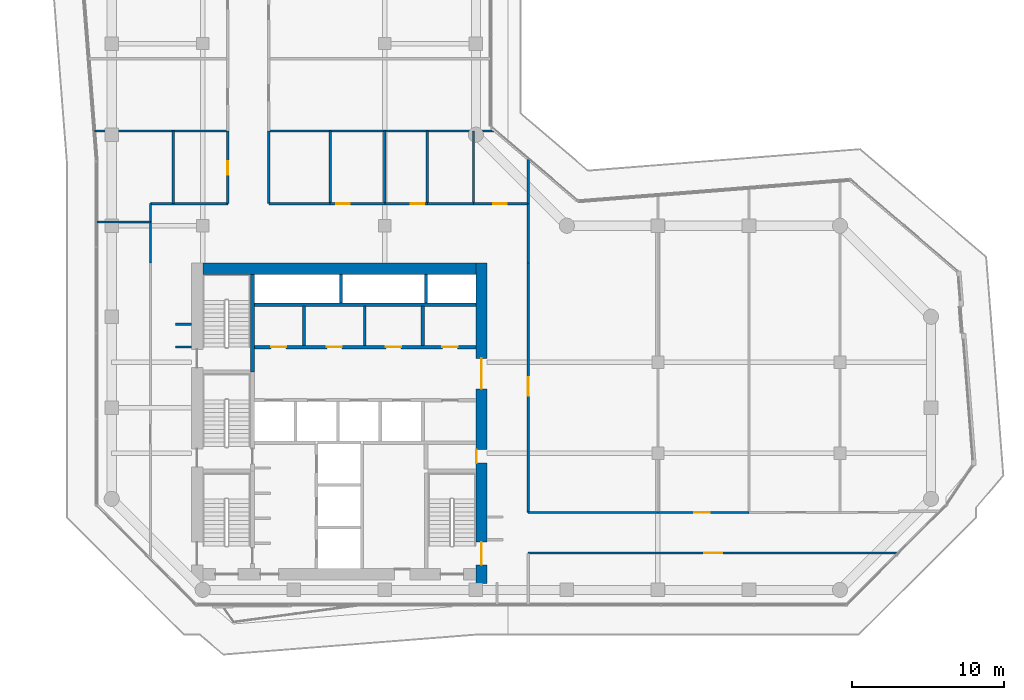
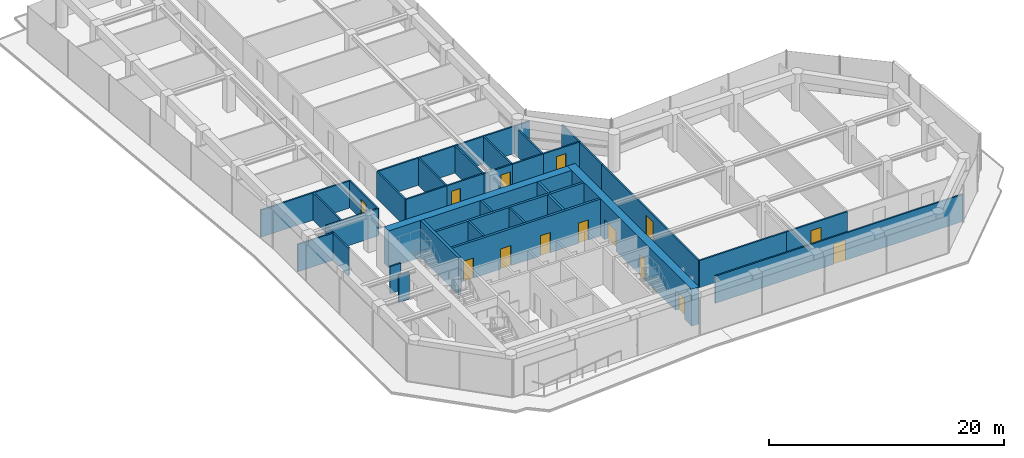
# One storey, part 21 of 25: 35 walls, 14 doors, 14 openings.
"""IFC4 building model written with IfcOpenShell, lengths in metres."""

from ifc_helpers import new_model, si_unit, direction, frame, frame_2d, origin, place, context, subcontext, project, spatial, rectangle, extrude, material, layer, layer_set, type_object, element, fill, save


model = new_model("IFC4")

# Units and contexts
model_context = context("Model", 3, precision=1e-05, world=origin(), true_north=direction((0.0, 1.0)))
body_context = subcontext(model_context, "Body", "Model", "MODEL_VIEW")
ifc_project = project(units=[si_unit("LENGTHUNIT", "METRE"), si_unit("AREAUNIT", "SQUARE_METRE"), si_unit("VOLUMEUNIT", "CUBIC_METRE"), si_unit("PLANEANGLEUNIT", "RADIAN"), si_unit("MASSUNIT", "GRAM", prefix="KILO")], contexts=[model_context])

# Site, building, storey
site_placement = place(None, origin())
site = spatial("IfcSite", under=ifc_project, at=site_placement, CompositionType="ELEMENT")
building_placement = place(site_placement, origin())
building = spatial("IfcBuilding", under=site, at=building_placement, Name="Welwitschia Terrace Campus", CompositionType="ELEMENT")
storey_placement = place(building_placement, frame((0.0, 0.0, 92.0)))
storey = spatial("IfcBuildingStorey", under=building, at=storey_placement, Name="L20", CompositionType="ELEMENT", Elevation=92.0)

# Walls
ifc_material_1 = material(Name="Concrete C32/40", Category="concrete")
ifc_layer_1 = layer(ifc_material_1, 0.175048828125)
ifc_layer_set_1 = layer_set([ifc_layer_1], Name="Concrete C32/40")
wall_type_1 = type_object("IfcWallType", Name="Core partition 175 Concrete C32/40", PredefinedType="PARTITIONING", material=ifc_layer_set_1)
for number, where, z_axis, x_axis, name in (
    (1, (12.675048828125, 20.10009765625, 0.0), (0.0, 0.0, 1.0), (0.0, 1.0, 0.0), "Core partition"),
    (2, (16.675048828125, 20.10009765625, 0.0), (0.0, 0.0, 1.0), (0.0, 1.0, 0.0), "Core partition"),
):
    element("IfcWall", number, at=place(storey_placement, frame(where, z_axis=z_axis, x_axis=x_axis)), inside=storey, type_object=wall_type_1, Name=name, PredefinedType="PARTITIONING", context=body_context, shape_type="SweptSolid", body=[
        extrude(rectangle(XDim=2.599853515625, YDim=0.175048828125, at=frame_2d((1.2998046875, 0.0))), origin(), (0.0, 0.0, 1.0), 3.85009765625),
    ])

# Wall, openings, doors
ifc_material_2 = material(Name="Concrete C32/40", Category="concrete")
ifc_layer_2 = layer(ifc_material_2, 0.22509765625)
ifc_layer_set_2 = layer_set([ifc_layer_2], Name="Concrete C32/40")
wall_type_2 = type_object("IfcWallType", Name="Core partition 225 Concrete C32/40", PredefinedType="PARTITIONING", material=ifc_layer_set_2)
wall_1_placement = place(storey_placement, frame((24.0, 20.0, 0.0), z_axis=(0.0, 0.0, 1.0), x_axis=(-1.0, 0.0, 0.0)))
wall_1 = element("IfcWall", 3, at=wall_1_placement, inside=storey, type_object=wall_type_2, Name="Core partition", PredefinedType="PARTITIONING", context=body_context, shape_type="SweptSolid", body=[
    extrude(rectangle(XDim=14.60009765625, YDim=0.22509765625, at=frame_2d((7.300048828125, 0.0))), origin(), (0.0, 0.0, 1.0), 3.85009765625),
])
opening_1_placement = place(wall_1_placement, frame((12.5, 0.0, 0.0)))
opening_1 = element("IfcOpeningElement", 4, at=opening_1_placement, cuts=wall_1, Name="Opening DR10", PredefinedType="OPENING", context=body_context, shape_type="SweptSolid", body=[
    extrude(rectangle(XDim=1.0, YDim=2.10009765625, at=frame_2d((0.5, 1.050048828125))), frame((0.0, 0.12255859375, 0.0), z_axis=(0.0, -1.0, 0.0), x_axis=(1.0, 0.0, 0.0)), (0.0, 0.0, 1.0), 0.2451171875),
])
opening_2_placement = place(wall_1_placement, frame((8.824951171875, 0.0, 0.0)))
opening_2 = element("IfcOpeningElement", 5, at=opening_2_placement, cuts=wall_1, Name="Opening DR10", PredefinedType="OPENING", context=body_context, shape_type="SweptSolid", body=[
    extrude(rectangle(XDim=1.0, YDim=2.10009765625, at=frame_2d((0.5, 1.050048828125))), frame((0.0, 0.12255859375, 0.0), z_axis=(0.0, -1.0, 0.0), x_axis=(1.0, 0.0, 0.0)), (0.0, 0.0, 1.0), 0.2451171875),
])
opening_3_placement = place(wall_1_placement, frame((4.925048828125, 0.0, 0.0)))
opening_3 = element("IfcOpeningElement", 6, at=opening_3_placement, cuts=wall_1, Name="Opening DR10", PredefinedType="OPENING", context=body_context, shape_type="SweptSolid", body=[
    extrude(rectangle(XDim=1.0, YDim=2.10009765625, at=frame_2d((0.5, 1.050048828125))), frame((0.0, 0.12255859375, 0.0), z_axis=(0.0, -1.0, 0.0), x_axis=(1.0, 0.0, 0.0)), (0.0, 0.0, 1.0), 0.2451171875),
])
opening_4_placement = place(wall_1_placement, frame((1.199951171875, 0.0, 0.0)))
opening_4 = element("IfcOpeningElement", 7, at=opening_4_placement, cuts=wall_1, Name="Opening DR10", PredefinedType="OPENING", context=body_context, shape_type="SweptSolid", body=[
    extrude(rectangle(XDim=1.0, YDim=2.10009765625, at=frame_2d((0.5, 1.050048828125))), frame((0.0, 0.12255859375, 0.0), z_axis=(0.0, -1.0, 0.0), x_axis=(1.0, 0.0, 0.0)), (0.0, 0.0, 1.0), 0.2451171875),
])
ifc_material_3 = material(Name="Steel S275", Category="steel")
door_type_1 = type_object("IfcDoorType", Name="Core door DR10", OperationType="SINGLE_SWING_LEFT", PredefinedType="DOOR", material=ifc_material_3)
door_1_placement = place(opening_1_placement, origin())
door_1 = element("IfcDoor", 8, at=door_1_placement, inside=storey, type_object=door_type_1, Name="Door BAYH1-D", OperationType="SINGLE_SWING_RIGHT", OverallHeight=2.10009765625, OverallWidth=1.0, PredefinedType="DOOR", context=body_context, shape_type="SweptSolid", body=[
    extrude(rectangle(XDim=1.0, YDim=2.10009765625, at=frame_2d((0.5, 1.050048828125))), frame((0.0, 0.02490234375, 0.0), z_axis=(0.0, -1.0, 0.0), x_axis=(1.0, 0.0, 0.0)), (0.0, 0.0, 1.0), 0.050048828125),
])
fill(opening_1, door_1)
door_2_placement = place(opening_2_placement, origin())
door_2 = element("IfcDoor", 9, at=door_2_placement, inside=storey, type_object=door_type_1, Name="Door BAYH2-D", OperationType="SINGLE_SWING_RIGHT", OverallHeight=2.10009765625, OverallWidth=1.0, PredefinedType="DOOR", context=body_context, shape_type="SweptSolid", body=[
    extrude(rectangle(XDim=1.0, YDim=2.10009765625, at=frame_2d((0.5, 1.050048828125))), frame((0.0, 0.02490234375, 0.0), z_axis=(0.0, -1.0, 0.0), x_axis=(1.0, 0.0, 0.0)), (0.0, 0.0, 1.0), 0.050048828125),
])
fill(opening_2, door_2)
door_3_placement = place(opening_3_placement, origin())
door_3 = element("IfcDoor", 10, at=door_3_placement, inside=storey, type_object=door_type_1, Name="Door BAYH3-D", OperationType="SINGLE_SWING_LEFT", OverallHeight=2.10009765625, OverallWidth=1.0, PredefinedType="DOOR", context=body_context, shape_type="SweptSolid", body=[
    extrude(rectangle(XDim=1.0, YDim=2.10009765625, at=frame_2d((0.5, 1.050048828125))), frame((0.0, 0.02490234375, 0.0), z_axis=(0.0, -1.0, 0.0), x_axis=(1.0, 0.0, 0.0)), (0.0, 0.0, 1.0), 0.050048828125),
])
fill(opening_3, door_3)
door_4_placement = place(opening_4_placement, origin())
door_4 = element("IfcDoor", 11, at=door_4_placement, inside=storey, type_object=door_type_1, Name="Door EH-D", OperationType="SINGLE_SWING_LEFT", OverallHeight=2.10009765625, OverallWidth=1.0, PredefinedType="DOOR", context=body_context, shape_type="SweptSolid", body=[
    extrude(rectangle(XDim=1.0, YDim=2.10009765625, at=frame_2d((0.5, 1.050048828125))), frame((0.0, 0.02490234375, 0.0), z_axis=(0.0, -1.0, 0.0), x_axis=(1.0, 0.0, 0.0)), (0.0, 0.0, 1.0), 0.050048828125),
])
fill(opening_4, door_4)

# Walls
wall_2_placement = place(storey_placement, frame((9.39990234375, 22.800048828125, 0.0), z_axis=(0.0, 0.0, 1.0), x_axis=(1.0, 0.0, 0.0)))
element("IfcWall", 12, at=wall_2_placement, inside=storey, type_object=wall_type_2, Name="Shaft wall", PredefinedType="PARTITIONING", context=body_context, shape_type="SweptSolid", body=[
    extrude(rectangle(XDim=14.60009765625, YDim=0.22509765625, at=frame_2d((7.300048828125, 0.0))), origin(), (0.0, 0.0, 1.0), 3.85009765625),
])
wall_3_placement = place(storey_placement, frame((20.5, 20.10009765625, 0.0), z_axis=(0.0, 0.0, 1.0), x_axis=(0.0, 1.0, 0.0)))
element("IfcWall", 13, at=wall_3_placement, inside=storey, type_object=wall_type_2, Name="Core partition", PredefinedType="PARTITIONING", context=body_context, shape_type="SweptSolid", body=[
    extrude(rectangle(XDim=2.599853515625, YDim=0.22509765625, at=frame_2d((1.2998046875, 0.0))), origin(), (0.0, 0.0, 1.0), 3.85009765625),
])
ifc_material_4 = material(Name="Concrete C50/60", Category="concrete")
ifc_layer_3 = layer(ifc_material_4, 0.199951171875)
ifc_layer_set_3 = layer_set([ifc_layer_3], Name="Concrete C50/60")
wall_type_3 = type_object("IfcWallType", Name="Core wall 200 Concrete C50/60", PredefinedType="SHEAR", material=ifc_layer_set_3)
for number, where, z_axis, x_axis, name in (
    (14, (15.10009765625, 22.89990234375, 0.0), (0.0, 0.0, 1.0), (0.0, 1.0, 0.0), "Core wall"),
    (15, (20.699951171875, 22.89990234375, 0.0), (0.0, 0.0, 1.0), (0.0, 1.0, 0.0), "Core wall"),
):
    element("IfcWall", number, at=place(storey_placement, frame(where, z_axis=z_axis, x_axis=x_axis)), inside=storey, type_object=wall_type_3, Name=name, PredefinedType="SHEAR", context=body_context, shape_type="SweptSolid", body=[
        extrude(rectangle(XDim=1.900146484375, YDim=0.199951171875, at=frame_2d((0.9501953125, 0.0))), origin(), (0.0, 0.0, 1.0), 3.85009765625),
    ])
ifc_material_5 = material(Name="Concrete C50/60", Category="concrete")
ifc_layer_4 = layer(ifc_material_5, 0.25)
ifc_layer_set_4 = layer_set([ifc_layer_4], Name="Concrete C50/60")
wall_type_4 = type_object("IfcWallType", Name="Core wall 250 Concrete C50/60", PredefinedType="SHEAR", material=ifc_layer_set_4)
wall_4_placement = place(storey_placement, frame((9.27490234375, 18.375, 0.0), z_axis=(0.0, 0.0, 1.0), x_axis=(0.0, 1.0, 0.0)))
element("IfcWall", 16, at=wall_4_placement, inside=storey, type_object=wall_type_4, Name="Core wall", PredefinedType="SHEAR", context=body_context, shape_type="SweptSolid", body=[
    extrude(rectangle(XDim=6.425048828125, YDim=0.25, at=frame_2d((3.21240234375, 0.0))), origin(), (0.0, 0.0, 1.0), 3.85009765625),
])

# Wall, openings, doors
ifc_material_6 = material(Name="Concrete C70/85", Category="concrete")
ifc_layer_5 = layer(ifc_material_6, 0.75)
ifc_layer_set_5 = layer_set([ifc_layer_5], Name="Concrete C70/85")
wall_type_5 = type_object("IfcWallType", Name="Core wall 750 Concrete C70/85", PredefinedType="SHEAR", material=ifc_layer_set_5)
wall_5_placement = place(storey_placement, frame((24.375, 25.550048828125, 0.0), z_axis=(0.0, 0.0, 1.0), x_axis=(0.0, -1.0, 0.0)))
wall_5 = element("IfcWall", 17, at=wall_5_placement, inside=storey, type_object=wall_type_5, Name="Core outer wall", PredefinedType="SHEAR", context=body_context, shape_type="SweptSolid", body=[
    extrude(rectangle(XDim=21.130126953125, YDim=0.75, at=frame_2d((10.56494140625, 0.0))), origin(), (0.0, 0.0, 1.0), 3.85009765625),
])
opening_5_placement = place(wall_5_placement, frame((18.39990234375, 0.0, 0.0)))
opening_5 = element("IfcOpeningElement", 18, at=opening_5_placement, cuts=wall_5, Name="Opening DS15", PredefinedType="OPENING", context=body_context, shape_type="SweptSolid", body=[
    extrude(rectangle(XDim=1.5, YDim=2.10009765625, at=frame_2d((0.75, 1.050048828125))), frame((0.0, 0.385009765625, 0.0), z_axis=(0.0, -1.0, 0.0), x_axis=(1.0, 0.0, 0.0)), (0.0, 0.0, 1.0), 0.77001953125),
])
opening_6_placement = place(wall_5_placement, frame((12.300048828125, 0.0, 0.0)))
opening_6 = element("IfcOpeningElement", 19, at=opening_6_placement, cuts=wall_5, Name="Opening DR09", PredefinedType="OPENING", context=body_context, shape_type="SweptSolid", body=[
    extrude(rectangle(XDim=0.89990234375, YDim=2.10009765625, at=frame_2d((0.449951171875, 1.050048828125))), frame((0.0, 0.385009765625, 0.0), z_axis=(0.0, -1.0, 0.0), x_axis=(1.0, 0.0, 0.0)), (0.0, 0.0, 1.0), 0.77001953125),
])
opening_7_placement = place(wall_5_placement, frame((6.300048828125, 0.0, 0.0)))
opening_7 = element("IfcOpeningElement", 20, at=opening_7_placement, cuts=wall_5, Name="Opening DL20", PredefinedType="OPENING", context=body_context, shape_type="SweptSolid", body=[
    extrude(rectangle(XDim=2.0, YDim=2.10009765625, at=frame_2d((1.0, 1.050048828125))), frame((0.0, 0.385009765625, 0.0), z_axis=(0.0, -1.0, 0.0), x_axis=(1.0, 0.0, 0.0)), (0.0, 0.0, 1.0), 0.77001953125),
])
ifc_material_7 = material(Name="Steel S275", Category="steel")
door_type_2 = type_object("IfcDoorType", Name="Core door DL20", OperationType="DOUBLE_DOOR_SINGLE_SWING", PredefinedType="DOOR", material=ifc_material_7)
door_5_placement = place(opening_7_placement, origin())
door_5 = element("IfcDoor", 21, at=door_5_placement, inside=storey, type_object=door_type_2, Name="Door LOBBY-out", OperationType="DOUBLE_DOOR_SINGLE_SWING", OverallHeight=2.10009765625, OverallWidth=2.0, PredefinedType="DOOR", context=body_context, shape_type="SweptSolid", body=[
    extrude(rectangle(XDim=2.0, YDim=2.10009765625, at=frame_2d((1.0, 1.050048828125))), frame((0.0, 0.02490234375, 0.0), z_axis=(0.0, -1.0, 0.0), x_axis=(1.0, 0.0, 0.0)), (0.0, 0.0, 1.0), 0.050048828125),
])
fill(opening_7, door_5)
ifc_material_8 = material(Name="Steel S275", Category="steel")
door_type_3 = type_object("IfcDoorType", Name="Core door DR09", OperationType="SINGLE_SWING_LEFT", PredefinedType="DOOR", material=ifc_material_8)
door_6_placement = place(opening_6_placement, origin())
door_6 = element("IfcDoor", 22, at=door_6_placement, inside=storey, type_object=door_type_3, Name="Door F1B-out", OperationType="SINGLE_SWING_RIGHT", OverallHeight=2.10009765625, OverallWidth=0.89990234375, PredefinedType="DOOR", context=body_context, shape_type="SweptSolid", body=[
    extrude(rectangle(XDim=0.89990234375, YDim=2.10009765625, at=frame_2d((0.449951171875, 1.050048828125))), frame((0.0, -0.31494140625, 0.0), z_axis=(0.0, -1.0, 0.0), x_axis=(1.0, 0.0, 0.0)), (0.0, 0.0, 1.0), 0.050048828125),
])
fill(opening_6, door_6)
ifc_material_9 = material(Name="Steel S275", Category="steel")
door_type_4 = type_object("IfcDoorType", Name="Core door DS15", OperationType="DOUBLE_DOOR_SINGLE_SWING", PredefinedType="DOOR", material=ifc_material_9)
door_7_placement = place(opening_5_placement, origin())
door_7 = element("IfcDoor", 23, at=door_7_placement, inside=storey, type_object=door_type_4, Name="Door S2-out", OperationType="DOUBLE_DOOR_SINGLE_SWING", OverallHeight=2.10009765625, OverallWidth=1.5, PredefinedType="DOOR", context=body_context, shape_type="SweptSolid", body=[
    extrude(rectangle(XDim=1.5, YDim=2.10009765625, at=frame_2d((0.75, 1.050048828125))), frame((0.0, 0.02490234375, 0.0), z_axis=(0.0, -1.0, 0.0), x_axis=(1.0, 0.0, 0.0)), (0.0, 0.0, 1.0), 0.050048828125),
])
fill(opening_5, door_7)

# Walls
wall_6_placement = place(storey_placement, frame((6.0, 25.175048828125, 0.0), z_axis=(0.0, 0.0, 1.0), x_axis=(1.0, 0.0, 0.0)))
element("IfcWall", 24, at=wall_6_placement, inside=storey, type_object=wall_type_5, Name="Core outer wall", PredefinedType="SHEAR", context=body_context, shape_type="SweptSolid", body=[
    extrude(rectangle(XDim=18.0, YDim=0.75, at=frame_2d((9.0, 0.0))), origin(), (0.0, 0.0, 1.0), 3.85009765625),
])
ifc_material_10 = material(Name="Gypsum board on steel studs", Category="steel")
ifc_layer_6 = layer(ifc_material_10, 0.14990234375)
ifc_layer_set_6 = layer_set([ifc_layer_6], Name="Gypsum board on steel studs")
wall_type_6 = type_object("IfcWallType", Name="Corridor partition 150 EI 30", PredefinedType="PARTITIONING", material=ifc_layer_set_6)
wall_7_placement = place(storey_placement, frame((-1.139892578125, 34.25, 0.0), z_axis=(0.0, 0.0, 1.0), x_axis=(1.0, 0.0, 0.0)))
element("IfcWall", 25, at=wall_7_placement, inside=storey, type_object=wall_type_6, Name="Partition", PredefinedType="PARTITIONING", context=body_context, shape_type="SweptSolid", body=[
    extrude(rectangle(XDim=8.789794921875, YDim=0.14990234375, at=frame_2d((4.39501953125, 0.0))), origin(), (0.0, 0.0, 1.0), 2.830078125),
])
wall_8_placement = place(storey_placement, frame((-0.97998046875, 28.25, 0.0), z_axis=(0.0, 0.0, 1.0), x_axis=(1.0, 0.0, 0.0)))
element("IfcWall", 26, at=wall_8_placement, inside=storey, type_object=wall_type_6, Name="Partition", PredefinedType="PARTITIONING", context=body_context, shape_type="SweptSolid", body=[
    extrude(rectangle(XDim=3.530029296875, YDim=0.14990234375, at=frame_2d((1.76513671875, 0.0))), origin(), (0.0, 0.0, 1.0), 2.830078125),
])
wall_9_placement = place(storey_placement, frame((2.550048828125, 25.550048828125, 0.0), z_axis=(0.0, 0.0, 1.0), x_axis=(0.0, 1.0, 0.0)))
element("IfcWall", 27, at=wall_9_placement, inside=storey, type_object=wall_type_6, Name="Partition", PredefinedType="PARTITIONING", context=body_context, shape_type="SweptSolid", body=[
    extrude(rectangle(XDim=3.89990234375, YDim=0.14990234375, at=frame_2d((1.949951171875, 0.0))), origin(), (0.0, 0.0, 1.0), 2.830078125),
])
wall_10_placement = place(storey_placement, frame((2.550048828125, 29.449951171875, 0.0), z_axis=(0.0, 0.0, 1.0), x_axis=(1.0, 0.0, 0.0)))
element("IfcWall", 28, at=wall_10_placement, inside=storey, type_object=wall_type_6, Name="Partition", PredefinedType="PARTITIONING", context=body_context, shape_type="SweptSolid", body=[
    extrude(rectangle(XDim=5.099853515625, YDim=0.14990234375, at=frame_2d((2.5498046875, 0.0))), origin(), (0.0, 0.0, 1.0), 2.830078125),
])
wall_11_placement = place(storey_placement, frame((4.050048828125, 29.449951171875, 0.0), z_axis=(0.0, 0.0, 1.0), x_axis=(0.0, 1.0, 0.0)))
element("IfcWall", 29, at=wall_11_placement, inside=storey, type_object=wall_type_6, Name="Partition", PredefinedType="PARTITIONING", context=body_context, shape_type="SweptSolid", body=[
    extrude(rectangle(XDim=4.800048828125, YDim=0.14990234375, at=frame_2d((2.39990234375, 0.0))), origin(), (0.0, 0.0, 1.0), 2.830078125),
])
for number, where, z_axis, x_axis, name in (
    (30, (4.199951171875, 20.0, 0.0), (0.0, 0.0, 1.0), (1.0, 0.0, 0.0), "Partition"),
    (31, (4.199951171875, 21.5, 0.0), (0.0, 0.0, 1.0), (1.0, 0.0, 0.0), "Partition"),
):
    element("IfcWall", number, at=place(storey_placement, frame(where, z_axis=z_axis, x_axis=x_axis)), inside=storey, type_object=wall_type_6, Name=name, PredefinedType="PARTITIONING", context=body_context, shape_type="SweptSolid", body=[
        extrude(rectangle(XDim=1.050048828125, YDim=0.14990234375, at=frame_2d((0.52490234375, 0.0))), origin(), (0.0, 0.0, 1.0), 2.830078125),
    ])

# Wall, opening, door
wall_12_placement = place(storey_placement, frame((7.64990234375, 29.449951171875, 0.0), z_axis=(0.0, 0.0, 1.0), x_axis=(0.0, 1.0, 0.0)))
wall_12 = element("IfcWall", 32, at=wall_12_placement, inside=storey, type_object=wall_type_6, Name="Partition", PredefinedType="PARTITIONING", context=body_context, shape_type="SweptSolid", body=[
    extrude(rectangle(XDim=4.800048828125, YDim=0.14990234375, at=frame_2d((2.39990234375, 0.0))), origin(), (0.0, 0.0, 1.0), 2.830078125),
])
opening_8_placement = place(wall_12_placement, frame((1.89990234375, 0.0, 0.0)))
opening_8 = element("IfcOpeningElement", 33, at=opening_8_placement, cuts=wall_12, Name="Opening DI09", PredefinedType="OPENING", context=body_context, shape_type="SweptSolid", body=[
    extrude(rectangle(XDim=0.89990234375, YDim=2.10009765625, at=frame_2d((0.449951171875, 1.050048828125))), frame((0.0, 0.0849609375, 0.0), z_axis=(0.0, -1.0, 0.0), x_axis=(1.0, 0.0, 0.0)), (0.0, 0.0, 1.0), 0.169921875),
])
ifc_material_11 = material(Name="Timber veneered door", Category="wood")
door_type_5 = type_object("IfcDoorType", Name="Interior door DI09", OperationType="NOTDEFINED", PredefinedType="DOOR", material=ifc_material_11)
door_8_placement = place(opening_8_placement, origin())
door_8 = element("IfcDoor", 34, at=door_8_placement, inside=storey, type_object=door_type_5, Name="Door L20 440", OperationType="SINGLE_SWING_LEFT", OverallHeight=2.10009765625, OverallWidth=0.89990234375, PredefinedType="DOOR", context=body_context, shape_type="SweptSolid", body=[
    extrude(rectangle(XDim=0.89990234375, YDim=2.10009765625, at=frame_2d((0.449951171875, 1.050048828125))), frame((0.0, 0.02490234375, 0.0), z_axis=(0.0, -1.0, 0.0), x_axis=(1.0, 0.0, 0.0)), (0.0, 0.0, 1.0), 0.050048828125),
])
fill(opening_8, door_8)

# Walls
wall_13_placement = place(storey_placement, frame((10.35009765625, 29.449951171875, 0.0), z_axis=(0.0, 0.0, 1.0), x_axis=(0.0, 1.0, 0.0)))
element("IfcWall", 35, at=wall_13_placement, inside=storey, type_object=wall_type_6, Name="Partition", PredefinedType="PARTITIONING", context=body_context, shape_type="SweptSolid", body=[
    extrude(rectangle(XDim=4.800048828125, YDim=0.14990234375, at=frame_2d((2.39990234375, 0.0))), origin(), (0.0, 0.0, 1.0), 2.830078125),
])
wall_14_placement = place(storey_placement, frame((10.35009765625, 29.449951171875, 0.0), z_axis=(0.0, 0.0, 1.0), x_axis=(1.0, 0.0, 0.0)))
element("IfcWall", 36, at=wall_14_placement, inside=storey, type_object=wall_type_6, Name="Partition", PredefinedType="PARTITIONING", context=body_context, shape_type="SweptSolid", body=[
    extrude(rectangle(XDim=4.0498046875, YDim=0.14990234375, at=frame_2d((2.02490234375, 0.0))), origin(), (0.0, 0.0, 1.0), 2.830078125),
])
wall_15_placement = place(storey_placement, frame((10.35009765625, 34.25, 0.0), z_axis=(0.0, 0.0, 1.0), x_axis=(1.0, 0.0, 0.0)))
element("IfcWall", 37, at=wall_15_placement, inside=storey, type_object=wall_type_6, Name="Partition", PredefinedType="PARTITIONING", context=body_context, shape_type="SweptSolid", body=[
    extrude(rectangle(XDim=14.919921875, YDim=0.14990234375, at=frame_2d((7.4599609375, 0.0))), origin(), (0.0, 0.0, 1.0), 2.830078125),
])
wall_16_placement = place(storey_placement, frame((14.39990234375, 29.449951171875, 0.0), z_axis=(0.0, 0.0, 1.0), x_axis=(0.0, 1.0, 0.0)))
element("IfcWall", 38, at=wall_16_placement, inside=storey, type_object=wall_type_6, Name="Partition", PredefinedType="PARTITIONING", context=body_context, shape_type="SweptSolid", body=[
    extrude(rectangle(XDim=4.800048828125, YDim=0.14990234375, at=frame_2d((2.39990234375, 0.0))), origin(), (0.0, 0.0, 1.0), 2.830078125),
])

# Wall, opening, door
wall_17_placement = place(storey_placement, frame((14.39990234375, 29.449951171875, 0.0), z_axis=(0.0, 0.0, 1.0), x_axis=(1.0, 0.0, 0.0)))
wall_17 = element("IfcWall", 39, at=wall_17_placement, inside=storey, type_object=wall_type_6, Name="Partition", PredefinedType="PARTITIONING", context=body_context, shape_type="SweptSolid", body=[
    extrude(rectangle(XDim=3.60009765625, YDim=0.14990234375, at=frame_2d((1.800048828125, 0.0))), origin(), (0.0, 0.0, 1.0), 2.830078125),
])
opening_9_placement = place(wall_17_placement, frame((0.39990234375, 0.0, 0.0)))
opening_9 = element("IfcOpeningElement", 40, at=opening_9_placement, cuts=wall_17, Name="Opening DI09", PredefinedType="OPENING", context=body_context, shape_type="SweptSolid", body=[
    extrude(rectangle(XDim=0.89990234375, YDim=2.10009765625, at=frame_2d((0.449951171875, 1.050048828125))), frame((0.0, 0.0849609375, 0.0), z_axis=(0.0, -1.0, 0.0), x_axis=(1.0, 0.0, 0.0)), (0.0, 0.0, 1.0), 0.169921875),
])
door_9_placement = place(opening_9_placement, origin())
door_9 = element("IfcDoor", 41, at=door_9_placement, inside=storey, type_object=door_type_5, Name="Door L20 451", OperationType="SINGLE_SWING_RIGHT", OverallHeight=2.10009765625, OverallWidth=0.89990234375, PredefinedType="DOOR", context=body_context, shape_type="SweptSolid", body=[
    extrude(rectangle(XDim=0.89990234375, YDim=2.10009765625, at=frame_2d((0.449951171875, 1.050048828125))), frame((0.0, 0.02490234375, 0.0), z_axis=(0.0, -1.0, 0.0), x_axis=(1.0, 0.0, 0.0)), (0.0, 0.0, 1.0), 0.050048828125),
])
fill(opening_9, door_9)

# Wall
wall_18_placement = place(storey_placement, frame((18.0, 29.449951171875, 0.0), z_axis=(0.0, 0.0, 1.0), x_axis=(0.0, 1.0, 0.0)))
element("IfcWall", 42, at=wall_18_placement, inside=storey, type_object=wall_type_6, Name="Partition", PredefinedType="PARTITIONING", context=body_context, shape_type="SweptSolid", body=[
    extrude(rectangle(XDim=4.800048828125, YDim=0.14990234375, at=frame_2d((2.39990234375, 0.0))), origin(), (0.0, 0.0, 1.0), 2.830078125),
])

# Wall, opening, door
wall_19_placement = place(storey_placement, frame((18.0, 29.449951171875, 0.0), z_axis=(0.0, 0.0, 1.0), x_axis=(1.0, 0.0, 0.0)))
wall_19 = element("IfcWall", 43, at=wall_19_placement, inside=storey, type_object=wall_type_6, Name="Partition", PredefinedType="PARTITIONING", context=body_context, shape_type="SweptSolid", body=[
    extrude(rectangle(XDim=2.800048828125, YDim=0.14990234375, at=frame_2d((1.39990234375, 0.0))), origin(), (0.0, 0.0, 1.0), 2.830078125),
])
opening_10_placement = place(wall_19_placement, frame((1.699951171875, 0.0, 0.0)))
opening_10 = element("IfcOpeningElement", 44, at=opening_10_placement, cuts=wall_19, Name="Opening DI09", PredefinedType="OPENING", context=body_context, shape_type="SweptSolid", body=[
    extrude(rectangle(XDim=0.89990234375, YDim=2.10009765625, at=frame_2d((0.449951171875, 1.050048828125))), frame((0.0, 0.0849609375, 0.0), z_axis=(0.0, -1.0, 0.0), x_axis=(1.0, 0.0, 0.0)), (0.0, 0.0, 1.0), 0.169921875),
])
door_10_placement = place(opening_10_placement, origin())
door_10 = element("IfcDoor", 45, at=door_10_placement, inside=storey, type_object=door_type_5, Name="Door L20 452", OperationType="SINGLE_SWING_LEFT", OverallHeight=2.10009765625, OverallWidth=0.89990234375, PredefinedType="DOOR", context=body_context, shape_type="SweptSolid", body=[
    extrude(rectangle(XDim=0.89990234375, YDim=2.10009765625, at=frame_2d((0.449951171875, 1.050048828125))), frame((0.0, 0.02490234375, 0.0), z_axis=(0.0, -1.0, 0.0), x_axis=(1.0, 0.0, 0.0)), (0.0, 0.0, 1.0), 0.050048828125),
])
fill(opening_10, door_10)

# Walls
wall_20_placement = place(storey_placement, frame((20.800048828125, 29.449951171875, 0.0), z_axis=(0.0, 0.0, 1.0), x_axis=(0.0, 1.0, 0.0)))
element("IfcWall", 46, at=wall_20_placement, inside=storey, type_object=wall_type_6, Name="Partition", PredefinedType="PARTITIONING", context=body_context, shape_type="SweptSolid", body=[
    extrude(rectangle(XDim=4.800048828125, YDim=0.14990234375, at=frame_2d((2.39990234375, 0.0))), origin(), (0.0, 0.0, 1.0), 2.830078125),
])
wall_21_placement = place(storey_placement, frame((20.800048828125, 29.449951171875, 0.0), z_axis=(0.0, 0.0, 1.0), x_axis=(1.0, 0.0, 0.0)))
element("IfcWall", 47, at=wall_21_placement, inside=storey, type_object=wall_type_6, Name="Partition", PredefinedType="PARTITIONING", context=body_context, shape_type="SweptSolid", body=[
    extrude(rectangle(XDim=3.050048828125, YDim=0.14990234375, at=frame_2d((1.52490234375, 0.0))), origin(), (0.0, 0.0, 1.0), 2.830078125),
])
wall_22_placement = place(storey_placement, frame((23.85009765625, 29.449951171875, 0.0), z_axis=(0.0, 0.0, 1.0), x_axis=(0.0, 1.0, 0.0)))
element("IfcWall", 48, at=wall_22_placement, inside=storey, type_object=wall_type_6, Name="Partition", PredefinedType="PARTITIONING", context=body_context, shape_type="SweptSolid", body=[
    extrude(rectangle(XDim=4.800048828125, YDim=0.14990234375, at=frame_2d((2.39990234375, 0.0))), origin(), (0.0, 0.0, 1.0), 2.830078125),
])

# Wall, opening, door
wall_23_placement = place(storey_placement, frame((23.85009765625, 29.449951171875, 0.0), z_axis=(0.0, 0.0, 1.0), x_axis=(1.0, 0.0, 0.0)))
wall_23 = element("IfcWall", 49, at=wall_23_placement, inside=storey, type_object=wall_type_6, Name="Partition", PredefinedType="PARTITIONING", context=body_context, shape_type="SweptSolid", body=[
    extrude(rectangle(XDim=3.599853515625, YDim=0.14990234375, at=frame_2d((1.7998046875, 0.0))), origin(), (0.0, 0.0, 1.0), 2.830078125),
])
opening_11_placement = place(wall_23_placement, frame((1.300048828125, 0.0, 0.0)))
opening_11 = element("IfcOpeningElement", 50, at=opening_11_placement, cuts=wall_23, Name="Opening DI09", PredefinedType="OPENING", context=body_context, shape_type="SweptSolid", body=[
    extrude(rectangle(XDim=0.89990234375, YDim=2.10009765625, at=frame_2d((0.449951171875, 1.050048828125))), frame((0.0, 0.0849609375, 0.0), z_axis=(0.0, -1.0, 0.0), x_axis=(1.0, 0.0, 0.0)), (0.0, 0.0, 1.0), 0.169921875),
])
door_11_placement = place(opening_11_placement, origin())
door_11 = element("IfcDoor", 51, at=door_11_placement, inside=storey, type_object=door_type_5, Name="Door L20 453", OperationType="SINGLE_SWING_RIGHT", OverallHeight=2.10009765625, OverallWidth=0.89990234375, PredefinedType="DOOR", context=body_context, shape_type="SweptSolid", body=[
    extrude(rectangle(XDim=0.89990234375, YDim=2.10009765625, at=frame_2d((0.449951171875, 1.050048828125))), frame((0.0, 0.02490234375, 0.0), z_axis=(0.0, -1.0, 0.0), x_axis=(1.0, 0.0, 0.0)), (0.0, 0.0, 1.0), 0.050048828125),
])
fill(opening_11, door_11)

# Wall
wall_24_placement = place(storey_placement, frame((27.449951171875, 9.10009765625, 0.0), z_axis=(0.0, 0.0, 1.0), x_axis=(1.0, 0.0, 0.0)))
element("IfcWall", 52, at=wall_24_placement, inside=storey, type_object=wall_type_6, Name="Partition", PredefinedType="PARTITIONING", context=body_context, shape_type="SweptSolid", body=[
    extrude(rectangle(XDim=8.550048828125, YDim=0.14990234375, at=frame_2d((4.27490234375, 0.0))), origin(), (0.0, 0.0, 1.0), 2.830078125),
])

# Wall, opening, door
wall_25_placement = place(storey_placement, frame((27.449951171875, 25.550048828125, 0.0), z_axis=(0.0, 0.0, 1.0), x_axis=(0.0, -1.0, 0.0)))
wall_25 = element("IfcWall", 53, at=wall_25_placement, inside=storey, type_object=wall_type_6, Name="Partition", PredefinedType="PARTITIONING", context=body_context, shape_type="SweptSolid", body=[
    extrude(rectangle(XDim=16.449951171875, YDim=0.14990234375, at=frame_2d((8.22509765625, 0.0))), origin(), (0.0, 0.0, 1.0), 2.830078125),
])
opening_12_placement = place(wall_25_placement, frame((7.550048828125, 0.0, 0.0)))
opening_12 = element("IfcOpeningElement", 54, at=opening_12_placement, cuts=wall_25, Name="Opening DI12", PredefinedType="OPENING", context=body_context, shape_type="SweptSolid", body=[
    extrude(rectangle(XDim=1.199951171875, YDim=2.10009765625, at=frame_2d((0.60009765625, 1.050048828125))), frame((0.0, 0.0849609375, 0.0), z_axis=(0.0, -1.0, 0.0), x_axis=(1.0, 0.0, 0.0)), (0.0, 0.0, 1.0), 0.169921875),
])
ifc_material_12 = material(Name="Timber veneered door", Category="wood")
door_type_6 = type_object("IfcDoorType", Name="Interior door DI12", OperationType="NOTDEFINED", PredefinedType="DOOR", material=ifc_material_12)
door_12_placement = place(opening_12_placement, origin())
door_12 = element("IfcDoor", 55, at=door_12_placement, inside=storey, type_object=door_type_6, Name="Door L20 454", OperationType="SINGLE_SWING_LEFT", OverallHeight=2.10009765625, OverallWidth=1.199951171875, PredefinedType="DOOR", context=body_context, shape_type="SweptSolid", body=[
    extrude(rectangle(XDim=1.199951171875, YDim=2.10009765625, at=frame_2d((0.60009765625, 1.050048828125))), frame((0.0, 0.02490234375, 0.0), z_axis=(0.0, -1.0, 0.0), x_axis=(1.0, 0.0, 0.0)), (0.0, 0.0, 1.0), 0.050048828125),
])
fill(opening_12, door_12)

# Walls
wall_26_placement = place(storey_placement, frame((27.449951171875, 25.550048828125, 0.0), z_axis=(0.0, 0.0, 1.0), x_axis=(0.0, 1.0, 0.0)))
element("IfcWall", 56, at=wall_26_placement, inside=storey, type_object=wall_type_6, Name="Partition", PredefinedType="PARTITIONING", context=body_context, shape_type="SweptSolid", body=[
    extrude(rectangle(XDim=3.89990234375, YDim=0.14990234375, at=frame_2d((1.949951171875, 0.0))), origin(), (0.0, 0.0, 1.0), 2.830078125),
])
wall_27_placement = place(storey_placement, frame((27.449951171875, 29.449951171875, 0.0), z_axis=(0.0, 0.0, 1.0), x_axis=(0.0, 1.0, 0.0)))
element("IfcWall", 57, at=wall_27_placement, inside=storey, type_object=wall_type_6, Name="Partition", PredefinedType="PARTITIONING", context=body_context, shape_type="SweptSolid", body=[
    extrude(rectangle(XDim=2.929931640625, YDim=0.14990234375, at=frame_2d((1.46484375, 0.0))), origin(), (0.0, 0.0, 1.0), 2.830078125),
])

# Wall, opening, door
wall_28_placement = place(storey_placement, frame((36.0, 9.10009765625, 0.0), z_axis=(0.0, 0.0, 1.0), x_axis=(1.0, 0.0, 0.0)))
wall_28 = element("IfcWall", 58, at=wall_28_placement, inside=storey, type_object=wall_type_6, Name="Partition", PredefinedType="PARTITIONING", context=body_context, shape_type="SweptSolid", body=[
    extrude(rectangle(XDim=6.0, YDim=0.14990234375, at=frame_2d((3.0, 0.0))), origin(), (0.0, 0.0, 1.0), 2.830078125),
])
opening_13_placement = place(wall_28_placement, frame((2.39990234375, 0.0, 0.0)))
opening_13 = element("IfcOpeningElement", 59, at=opening_13_placement, cuts=wall_28, Name="Opening DI10", PredefinedType="OPENING", context=body_context, shape_type="SweptSolid", body=[
    extrude(rectangle(XDim=1.0, YDim=2.10009765625, at=frame_2d((0.5, 1.050048828125))), frame((0.0, 0.0849609375, 0.0), z_axis=(0.0, -1.0, 0.0), x_axis=(1.0, 0.0, 0.0)), (0.0, 0.0, 1.0), 0.169921875),
])
ifc_material_13 = material(Name="Timber veneered door", Category="wood")
door_type_7 = type_object("IfcDoorType", Name="Interior door DI10", OperationType="NOTDEFINED", PredefinedType="DOOR", material=ifc_material_13)
door_13_placement = place(opening_13_placement, origin())
door_13 = element("IfcDoor", 60, at=door_13_placement, inside=storey, type_object=door_type_7, Name="Door L20 455", OperationType="SINGLE_SWING_RIGHT", OverallHeight=2.10009765625, OverallWidth=1.0, PredefinedType="DOOR", context=body_context, shape_type="SweptSolid", body=[
    extrude(rectangle(XDim=1.0, YDim=2.10009765625, at=frame_2d((0.5, 1.050048828125))), frame((0.0, 0.02490234375, 0.0), z_axis=(0.0, -1.0, 0.0), x_axis=(1.0, 0.0, 0.0)), (0.0, 0.0, 1.0), 0.050048828125),
])
fill(opening_13, door_13)

wall_29_placement = place(storey_placement, frame((51.780029296875, 6.422607421875, 0.0), z_axis=(0.0, 0.0, 1.0), x_axis=(-1.0, 0.0, 0.0)))
wall_29 = element("IfcWall", 61, at=wall_29_placement, inside=storey, type_object=wall_type_6, Name="Partition", PredefinedType="PARTITIONING", context=body_context, shape_type="SweptSolid", body=[
    extrude(rectangle(XDim=24.330078125, YDim=0.14990234375, at=frame_2d((12.1650390625, 0.0))), origin(), (0.0, 0.0, 1.0), 2.830078125),
])
opening_14_placement = place(wall_29_placement, frame((11.530029296875, 0.0, 0.0)))
opening_14 = element("IfcOpeningElement", 62, at=opening_14_placement, cuts=wall_29, Name="Opening DI12", PredefinedType="OPENING", context=body_context, shape_type="SweptSolid", body=[
    extrude(rectangle(XDim=1.199951171875, YDim=2.10009765625, at=frame_2d((0.60009765625, 1.050048828125))), frame((0.0, 0.0849609375, 0.0), z_axis=(0.0, -1.0, 0.0), x_axis=(1.0, 0.0, 0.0)), (0.0, 0.0, 1.0), 0.169921875),
])
door_14_placement = place(opening_14_placement, origin())
door_14 = element("IfcDoor", 63, at=door_14_placement, inside=storey, type_object=door_type_6, Name="Door L20 458", OperationType="SINGLE_SWING_LEFT", OverallHeight=2.10009765625, OverallWidth=1.199951171875, PredefinedType="DOOR", context=body_context, shape_type="SweptSolid", body=[
    extrude(rectangle(XDim=1.199951171875, YDim=2.10009765625, at=frame_2d((0.60009765625, 1.050048828125))), frame((0.0, 0.02490234375, 0.0), z_axis=(0.0, -1.0, 0.0), x_axis=(1.0, 0.0, 0.0)), (0.0, 0.0, 1.0), 0.050048828125),
])
fill(opening_14, door_14)

save(model, "model.ifc")
